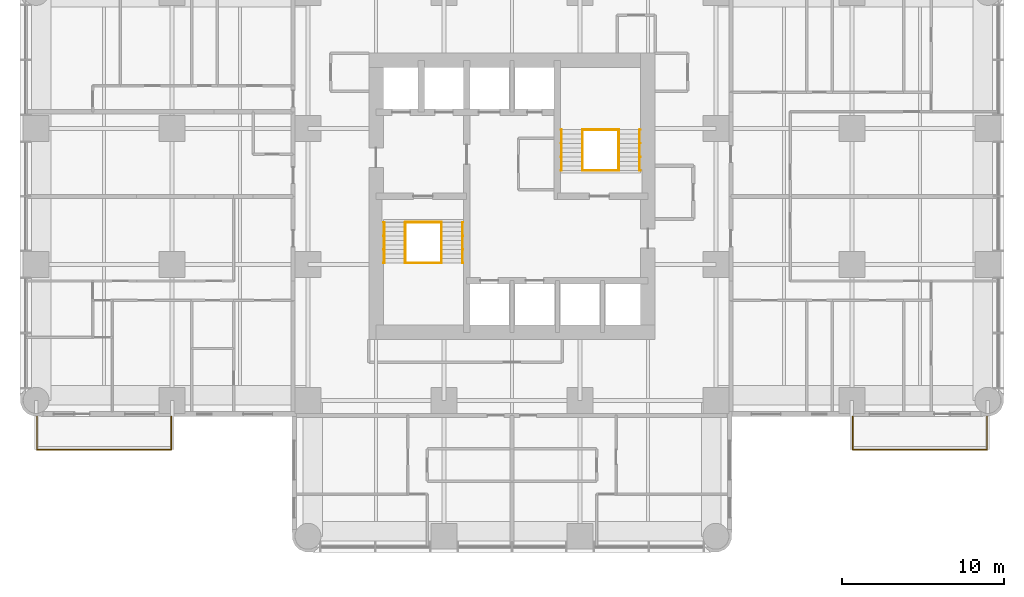
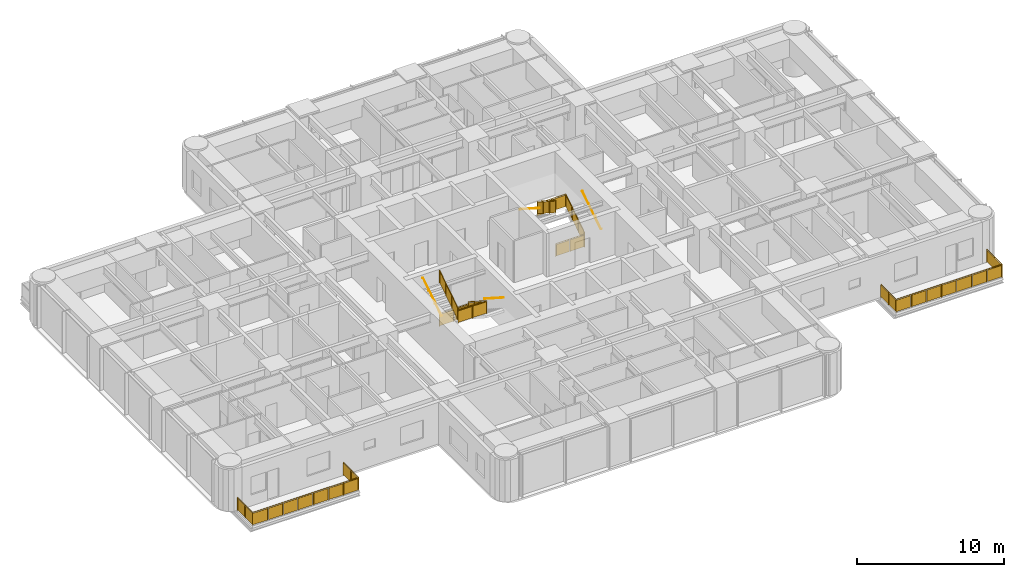
# One storey, part 13 of 14: 14 railings.
"""IFC4 building model written with IfcOpenShell, lengths in metres."""

from ifc_helpers import new_model, si_unit, direction, frame, origin, origin_2d, place, context, subcontext, project, spatial, polyline, circle, outline, extrude, material, constituent, constituent_set, type_object, element, save


model = new_model("IFC4")

# Units and contexts
model_context = context("Model", 3, precision=1e-05, world=origin(), true_north=direction((0.0, 1.0)))
body_context = subcontext(model_context, "Body", "Model", "MODEL_VIEW")
ifc_project = project(units=[si_unit("LENGTHUNIT", "METRE"), si_unit("AREAUNIT", "SQUARE_METRE"), si_unit("VOLUMEUNIT", "CUBIC_METRE"), si_unit("PLANEANGLEUNIT", "RADIAN"), si_unit("MASSUNIT", "GRAM", prefix="KILO")], contexts=[model_context])

# Site, building, storey
site_placement = place(None, origin())
site = spatial("IfcSite", under=ifc_project, at=site_placement, CompositionType="ELEMENT")
building_placement = place(site_placement, origin())
building = spatial("IfcBuilding", under=site, at=building_placement, Name="Torre Alcanfor", CompositionType="ELEMENT")
storey_placement = place(building_placement, frame((0.0, 0.0, 130.5)))
storey = spatial("IfcBuildingStorey", under=building, at=storey_placement, Name="L33", CompositionType="ELEMENT", Elevation=130.5)

# Railings
ifc_material_1 = material(Name="Laminated safety glass", Category="glass")
ifc_constituent_1 = constituent(ifc_material_1, Name="Infill")
ifc_material_2 = material(Name="Stainless steel ASTM A554 Grade MT 316L tube", Category="steel")
ifc_constituent_2 = constituent(ifc_material_2, Name="Posts and rail")
ifc_constituent_set = constituent_set(constituents=[ifc_constituent_1, ifc_constituent_2], Name="Balcony guard glass 1100")
railing_type_1 = type_object("IfcRailingType", Name="Balcony guard glass 1100", PredefinedType="BALUSTRADE", material=ifc_constituent_set)
railing_1_placement = place(storey_placement, frame((50.449951171875, 15.800048828125, 0.0)))
element("IfcRailing", 1, at=railing_1_placement, inside=storey, type_object=railing_type_1, Name="Balcony guard L33-E2", PredefinedType="BALUSTRADE", context=body_context, shape_type="SweptSolid", body=[
    extrude(circle(Radius=0.02392578125, at=origin_2d()), frame((0.0, 0.0, 1.076171875), z_axis=(0.0, -1.0, 0.0), x_axis=(1.0, 0.0, 0.0)), (0.0, 0.0, 1.0), 2.050048828125),
    extrude(circle(Radius=0.02392578125, at=origin_2d()), frame((0.0, -2.050048828125, 1.076171875), z_axis=(1.0, 0.0, 0.0), x_axis=(0.0, 1.0, 0.0)), (0.0, 0.0, 1.0), 8.300048828125),
    extrude(circle(Radius=0.02392578125, at=origin_2d()), frame((8.300048828125, -2.050048828125, 1.076171875), z_axis=(0.0, 1.0, 0.0), x_axis=(-1.0, 0.0, 0.0)), (0.0, 0.0, 1.0), 2.050048828125),
    extrude(circle(Radius=0.02099609375, at=origin_2d()), origin(), (0.0, 0.0, 1.0), 1.052001953125),
    extrude(circle(Radius=0.02099609375, at=origin_2d()), frame((0.0, -1.02490234375, 0.0)), (0.0, 0.0, 1.0), 1.052001953125),
    extrude(circle(Radius=0.02099609375, at=origin_2d()), frame((0.0, -2.050048828125, 0.0)), (0.0, 0.0, 1.0), 1.052001953125),
    extrude(circle(Radius=0.02099609375, at=origin_2d()), frame((1.185791015625, -2.050048828125, 0.0)), (0.0, 0.0, 1.0), 1.052001953125),
    extrude(circle(Radius=0.02099609375, at=origin_2d()), frame((2.371337890625, -2.050048828125, 0.0)), (0.0, 0.0, 1.0), 1.052001953125),
    extrude(circle(Radius=0.02099609375, at=origin_2d()), frame((3.55712890625, -2.050048828125, 0.0)), (0.0, 0.0, 1.0), 1.052001953125),
    extrude(circle(Radius=0.02099609375, at=origin_2d()), frame((4.742919921875, -2.050048828125, 0.0)), (0.0, 0.0, 1.0), 1.052001953125),
    extrude(circle(Radius=0.02099609375, at=origin_2d()), frame((5.9287109375, -2.050048828125, 0.0)), (0.0, 0.0, 1.0), 1.052001953125),
    extrude(circle(Radius=0.02099609375, at=origin_2d()), frame((7.1142578125, -2.050048828125, 0.0)), (0.0, 0.0, 1.0), 1.052001953125),
    extrude(circle(Radius=0.02099609375, at=origin_2d()), frame((8.300048828125, -2.050048828125, 0.0)), (0.0, 0.0, 1.0), 1.052001953125),
    extrude(circle(Radius=0.02099609375, at=origin_2d()), frame((8.300048828125, -1.02490234375, 0.0)), (0.0, 0.0, 1.0), 1.052001953125),
    extrude(circle(Radius=0.02099609375, at=origin_2d()), frame((8.300048828125, 0.0, 0.0)), (0.0, 0.0, 1.0), 1.052001953125),
    extrude(outline(polyline([(0.041015625, 0.050048828125), (0.984130859375, 0.050048828125), (0.984130859375, 1.001953125), (0.041015625, 1.001953125), (0.041015625, 0.050048828125)])), frame((0.005859375, 0.0, 0.0), z_axis=(-1.0, 0.0, 0.0), x_axis=(0.0, -1.0, 0.0)), (0.0, 0.0, 1.0), 0.011962890625),
    extrude(outline(polyline([(1.06591796875, 0.050048828125), (2.009033203125, 0.050048828125), (2.009033203125, 1.001953125), (1.06591796875, 1.001953125), (1.06591796875, 0.050048828125)])), frame((0.005859375, 0.0, 0.0), z_axis=(-1.0, 0.0, 0.0), x_axis=(0.0, -1.0, 0.0)), (0.0, 0.0, 1.0), 0.011962890625),
    extrude(outline(polyline([(0.041015625, 0.050048828125), (1.144775390625, 0.050048828125), (1.144775390625, 1.001953125), (0.041015625, 1.001953125), (0.041015625, 0.050048828125)])), frame((0.0, -2.0439453125, 0.0), z_axis=(0.0, -1.0, 0.0), x_axis=(1.0, 0.0, 0.0)), (0.0, 0.0, 1.0), 0.011962890625),
    extrude(outline(polyline([(1.226806640625, 0.050048828125), (2.330322265625, 0.050048828125), (2.330322265625, 1.001953125), (1.226806640625, 1.001953125), (1.226806640625, 0.050048828125)])), frame((0.0, -2.0439453125, 0.0), z_axis=(0.0, -1.0, 0.0), x_axis=(1.0, 0.0, 0.0)), (0.0, 0.0, 1.0), 0.011962890625),
    extrude(outline(polyline([(2.412353515625, 0.050048828125), (3.51611328125, 0.050048828125), (3.51611328125, 1.001953125), (2.412353515625, 1.001953125), (2.412353515625, 0.050048828125)])), frame((0.0, -2.0439453125, 0.0), z_axis=(0.0, -1.0, 0.0), x_axis=(1.0, 0.0, 0.0)), (0.0, 0.0, 1.0), 0.011962890625),
    extrude(outline(polyline([(3.59814453125, 0.050048828125), (4.701904296875, 0.050048828125), (4.701904296875, 1.001953125), (3.59814453125, 1.001953125), (3.59814453125, 0.050048828125)])), frame((0.0, -2.0439453125, 0.0), z_axis=(0.0, -1.0, 0.0), x_axis=(1.0, 0.0, 0.0)), (0.0, 0.0, 1.0), 0.011962890625),
    extrude(outline(polyline([(4.783935546875, 0.050048828125), (5.8876953125, 0.050048828125), (5.8876953125, 1.001953125), (4.783935546875, 1.001953125), (4.783935546875, 0.050048828125)])), frame((0.0, -2.0439453125, 0.0), z_axis=(0.0, -1.0, 0.0), x_axis=(1.0, 0.0, 0.0)), (0.0, 0.0, 1.0), 0.011962890625),
    extrude(outline(polyline([(5.9697265625, 0.050048828125), (7.0732421875, 0.050048828125), (7.0732421875, 1.001953125), (5.9697265625, 1.001953125), (5.9697265625, 0.050048828125)])), frame((0.0, -2.0439453125, 0.0), z_axis=(0.0, -1.0, 0.0), x_axis=(1.0, 0.0, 0.0)), (0.0, 0.0, 1.0), 0.011962890625),
    extrude(outline(polyline([(7.1552734375, 0.050048828125), (8.259033203125, 0.050048828125), (8.259033203125, 1.001953125), (7.1552734375, 1.001953125), (7.1552734375, 0.050048828125)])), frame((0.0, -2.0439453125, 0.0), z_axis=(0.0, -1.0, 0.0), x_axis=(1.0, 0.0, 0.0)), (0.0, 0.0, 1.0), 0.011962890625),
    extrude(outline(polyline([(0.041015625, 0.050048828125), (0.984130859375, 0.050048828125), (0.984130859375, 1.001953125), (0.041015625, 1.001953125), (0.041015625, 0.050048828125)])), frame((8.2939453125, -2.050048828125, 0.0), z_axis=(1.0, 0.0, 0.0), x_axis=(0.0, 1.0, 0.0)), (0.0, 0.0, 1.0), 0.011962890625),
    extrude(outline(polyline([(1.06591796875, 0.050048828125), (2.009033203125, 0.050048828125), (2.009033203125, 1.001953125), (1.06591796875, 1.001953125), (1.06591796875, 0.050048828125)])), frame((8.2939453125, -2.050048828125, 0.0), z_axis=(1.0, 0.0, 0.0), x_axis=(0.0, 1.0, 0.0)), (0.0, 0.0, 1.0), 0.011962890625),
])
railing_2_placement = place(storey_placement, frame((8.35009765625, 15.800048828125, 0.0)))
element("IfcRailing", 2, at=railing_2_placement, inside=storey, type_object=railing_type_1, Name="Balcony guard L33-W1", PredefinedType="BALUSTRADE", context=body_context, shape_type="SweptSolid", body=[
    extrude(circle(Radius=0.02392578125, at=origin_2d()), frame((0.0, 0.0, 1.076171875), z_axis=(0.0, -1.0, 0.0), x_axis=(1.0, 0.0, 0.0)), (0.0, 0.0, 1.0), 2.050048828125),
    extrude(circle(Radius=0.02392578125, at=origin_2d()), frame((0.0, -2.050048828125, 1.076171875), z_axis=(-1.0, 0.0, 0.0), x_axis=(0.0, -1.0, 0.0)), (0.0, 0.0, 1.0), 8.300048828125),
    extrude(circle(Radius=0.02392578125, at=origin_2d()), frame((-8.300048828125, -2.050048828125, 1.076171875), z_axis=(0.0, 1.0, 0.0), x_axis=(-1.0, 0.0, 0.0)), (0.0, 0.0, 1.0), 2.050048828125),
    extrude(circle(Radius=0.02099609375, at=origin_2d()), origin(), (0.0, 0.0, 1.0), 1.052001953125),
    extrude(circle(Radius=0.02099609375, at=origin_2d()), frame((0.0, -1.02490234375, 0.0)), (0.0, 0.0, 1.0), 1.052001953125),
    extrude(circle(Radius=0.02099609375, at=origin_2d()), frame((0.0, -2.050048828125, 0.0)), (0.0, 0.0, 1.0), 1.052001953125),
    extrude(circle(Radius=0.02099609375, at=origin_2d()), frame((-1.185791015625, -2.050048828125, 0.0)), (0.0, 0.0, 1.0), 1.052001953125),
    extrude(circle(Radius=0.02099609375, at=origin_2d()), frame((-2.371337890625, -2.050048828125, 0.0)), (0.0, 0.0, 1.0), 1.052001953125),
    extrude(circle(Radius=0.02099609375, at=origin_2d()), frame((-3.55712890625, -2.050048828125, 0.0)), (0.0, 0.0, 1.0), 1.052001953125),
    extrude(circle(Radius=0.02099609375, at=origin_2d()), frame((-4.742919921875, -2.050048828125, 0.0)), (0.0, 0.0, 1.0), 1.052001953125),
    extrude(circle(Radius=0.02099609375, at=origin_2d()), frame((-5.9287109375, -2.050048828125, 0.0)), (0.0, 0.0, 1.0), 1.052001953125),
    extrude(circle(Radius=0.02099609375, at=origin_2d()), frame((-7.1142578125, -2.050048828125, 0.0)), (0.0, 0.0, 1.0), 1.052001953125),
    extrude(circle(Radius=0.02099609375, at=origin_2d()), frame((-8.300048828125, -2.050048828125, 0.0)), (0.0, 0.0, 1.0), 1.052001953125),
    extrude(circle(Radius=0.02099609375, at=origin_2d()), frame((-8.300048828125, -1.02490234375, 0.0)), (0.0, 0.0, 1.0), 1.052001953125),
    extrude(circle(Radius=0.02099609375, at=origin_2d()), frame((-8.300048828125, 0.0, 0.0)), (0.0, 0.0, 1.0), 1.052001953125),
    extrude(outline(polyline([(0.041015625, 0.050048828125), (0.984130859375, 0.050048828125), (0.984130859375, 1.001953125), (0.041015625, 1.001953125), (0.041015625, 0.050048828125)])), frame((0.005859375, 0.0, 0.0), z_axis=(-1.0, 0.0, 0.0), x_axis=(0.0, -1.0, 0.0)), (0.0, 0.0, 1.0), 0.011962890625),
    extrude(outline(polyline([(1.06591796875, 0.050048828125), (2.009033203125, 0.050048828125), (2.009033203125, 1.001953125), (1.06591796875, 1.001953125), (1.06591796875, 0.050048828125)])), frame((0.005859375, 0.0, 0.0), z_axis=(-1.0, 0.0, 0.0), x_axis=(0.0, -1.0, 0.0)), (0.0, 0.0, 1.0), 0.011962890625),
    extrude(outline(polyline([(0.041015625, 0.050048828125), (1.144775390625, 0.050048828125), (1.144775390625, 1.001953125), (0.041015625, 1.001953125), (0.041015625, 0.050048828125)])), frame((0.0, -2.05615234375, 0.0), z_axis=(0.0, 1.0, 0.0), x_axis=(-1.0, 0.0, 0.0)), (0.0, 0.0, 1.0), 0.011962890625),
    extrude(outline(polyline([(1.226806640625, 0.050048828125), (2.330322265625, 0.050048828125), (2.330322265625, 1.001953125), (1.226806640625, 1.001953125), (1.226806640625, 0.050048828125)])), frame((0.0, -2.05615234375, 0.0), z_axis=(0.0, 1.0, 0.0), x_axis=(-1.0, 0.0, 0.0)), (0.0, 0.0, 1.0), 0.011962890625),
    extrude(outline(polyline([(2.412353515625, 0.050048828125), (3.51611328125, 0.050048828125), (3.51611328125, 1.001953125), (2.412353515625, 1.001953125), (2.412353515625, 0.050048828125)])), frame((0.0, -2.05615234375, 0.0), z_axis=(0.0, 1.0, 0.0), x_axis=(-1.0, 0.0, 0.0)), (0.0, 0.0, 1.0), 0.011962890625),
    extrude(outline(polyline([(3.59814453125, 0.050048828125), (4.701904296875, 0.050048828125), (4.701904296875, 1.001953125), (3.59814453125, 1.001953125), (3.59814453125, 0.050048828125)])), frame((0.0, -2.05615234375, 0.0), z_axis=(0.0, 1.0, 0.0), x_axis=(-1.0, 0.0, 0.0)), (0.0, 0.0, 1.0), 0.011962890625),
    extrude(outline(polyline([(4.783935546875, 0.050048828125), (5.8876953125, 0.050048828125), (5.8876953125, 1.001953125), (4.783935546875, 1.001953125), (4.783935546875, 0.050048828125)])), frame((0.0, -2.05615234375, 0.0), z_axis=(0.0, 1.0, 0.0), x_axis=(-1.0, 0.0, 0.0)), (0.0, 0.0, 1.0), 0.011962890625),
    extrude(outline(polyline([(5.9697265625, 0.050048828125), (7.0732421875, 0.050048828125), (7.0732421875, 1.001953125), (5.9697265625, 1.001953125), (5.9697265625, 0.050048828125)])), frame((0.0, -2.05615234375, 0.0), z_axis=(0.0, 1.0, 0.0), x_axis=(-1.0, 0.0, 0.0)), (0.0, 0.0, 1.0), 0.011962890625),
    extrude(outline(polyline([(7.1552734375, 0.050048828125), (8.259033203125, 0.050048828125), (8.259033203125, 1.001953125), (7.1552734375, 1.001953125), (7.1552734375, 0.050048828125)])), frame((0.0, -2.05615234375, 0.0), z_axis=(0.0, 1.0, 0.0), x_axis=(-1.0, 0.0, 0.0)), (0.0, 0.0, 1.0), 0.011962890625),
    extrude(outline(polyline([(0.041015625, 0.050048828125), (0.984130859375, 0.050048828125), (0.984130859375, 1.001953125), (0.041015625, 1.001953125), (0.041015625, 0.050048828125)])), frame((-8.30615234375, -2.050048828125, 0.0), z_axis=(1.0, 0.0, 0.0), x_axis=(0.0, 1.0, 0.0)), (0.0, 0.0, 1.0), 0.011962890625),
    extrude(outline(polyline([(1.06591796875, 0.050048828125), (2.009033203125, 0.050048828125), (2.009033203125, 1.001953125), (1.06591796875, 1.001953125), (1.06591796875, 0.050048828125)])), frame((-8.30615234375, -2.050048828125, 0.0), z_axis=(1.0, 0.0, 0.0), x_axis=(0.0, 1.0, 0.0)), (0.0, 0.0, 1.0), 0.011962890625),
])
ifc_material_3 = material(Name="Steel ASTM A500 Grade C hollow sections", Category="steel")
railing_type_2 = type_object("IfcRailingType", Name="Stair guard and handrail 1100", PredefinedType="GUARDRAIL", material=ifc_material_3)
railing_3_placement = place(storey_placement, frame((25.050048828125, 27.800048828125, 0.179931640625)))
element("IfcRailing", 3, at=railing_3_placement, inside=storey, type_object=railing_type_2, Name="Stair guard S1 L33 flight 1", PredefinedType="GUARDRAIL", context=body_context, shape_type="SweptSolid", body=[
    extrude(circle(Radius=0.02392578125, at=origin_2d()), frame((0.0, 0.0, 1.076171875), z_axis=(0.0, -0.841162588446, 0.540782303519), x_axis=(1.0, 0.0, 0.0)), (0.0, 0.0, 1.0), 2.995849609375),
    extrude(circle(Radius=0.02099609375, at=origin_2d()), origin(), (0.0, 0.0, 1.0), 1.052001953125),
    extrude(circle(Radius=0.02099609375, at=origin_2d()), frame((0.0, -0.840087890625, 0.5400390625)), (0.0, 0.0, 1.0), 1.052001953125),
    extrude(circle(Radius=0.02099609375, at=origin_2d()), frame((0.0, -1.679931640625, 1.080078125)), (0.0, 0.0, 1.0), 1.052001953125),
    extrude(circle(Radius=0.02099609375, at=origin_2d()), frame((0.0, -2.52001953125, 1.6201171875)), (0.0, 0.0, 1.0), 1.052001953125),
    extrude(outline(polyline([(0.041015625, 0.076416015625), (0.799072265625, 0.563720703125), (0.799072265625, 1.515625), (0.041015625, 1.0283203125), (0.041015625, 0.076416015625)])), frame((0.005859375, 0.0, 0.0), z_axis=(-1.0, 0.0, 0.0), x_axis=(0.0, -1.0, 0.0)), (0.0, 0.0, 1.0), 0.011962890625),
    extrude(outline(polyline([(0.881103515625, 0.616455078125), (1.638916015625, 1.103759765625), (1.638916015625, 2.0556640625), (0.881103515625, 1.568359375), (0.881103515625, 0.616455078125)])), frame((0.005859375, 0.0, 0.0), z_axis=(-1.0, 0.0, 0.0), x_axis=(0.0, -1.0, 0.0)), (0.0, 0.0, 1.0), 0.011962890625),
    extrude(outline(polyline([(1.720947265625, 1.156494140625), (2.47900390625, 1.643798828125), (2.47900390625, 2.595703125), (1.720947265625, 2.1083984375), (1.720947265625, 1.156494140625)])), frame((0.005859375, 0.0, 0.0), z_axis=(-1.0, 0.0, 0.0), x_axis=(0.0, -1.0, 0.0)), (0.0, 0.0, 1.0), 0.011962890625),
])
railing_4_placement = place(storey_placement, frame((22.800048828125, 25.280029296875, 1.97998046875)))
element("IfcRailing", 4, at=railing_4_placement, inside=storey, type_object=railing_type_2, Name="Stair guard S1 L33 flight 2", PredefinedType="GUARDRAIL", context=body_context, shape_type="SweptSolid", body=[
    extrude(circle(Radius=0.02392578125, at=origin_2d()), frame((0.0, 0.0, 1.076171875), z_axis=(0.0, 0.841162588446, 0.540782303519), x_axis=(-1.0, 0.0, 0.0)), (0.0, 0.0, 1.0), 2.995849609375),
    extrude(circle(Radius=0.02099609375, at=origin_2d()), origin(), (0.0, 0.0, 1.0), 1.052001953125),
    extrude(circle(Radius=0.02099609375, at=origin_2d()), frame((0.0, 0.840087890625, 0.5400390625)), (0.0, 0.0, 1.0), 1.052001953125),
    extrude(circle(Radius=0.02099609375, at=origin_2d()), frame((0.0, 1.679931640625, 1.080078125)), (0.0, 0.0, 1.0), 1.052001953125),
    extrude(circle(Radius=0.02099609375, at=origin_2d()), frame((0.0, 2.52001953125, 1.6201171875)), (0.0, 0.0, 1.0), 1.052001953125),
    extrude(outline(polyline([(0.041015625, 0.076416015625), (0.799072265625, 0.563720703125), (0.799072265625, 1.515625), (0.041015625, 1.0283203125), (0.041015625, 0.076416015625)])), frame((-0.005859375, 0.0, 0.0), z_axis=(1.0, 0.0, 0.0), x_axis=(0.0, 1.0, 0.0)), (0.0, 0.0, 1.0), 0.011962890625),
    extrude(outline(polyline([(0.881103515625, 0.616455078125), (1.638916015625, 1.103759765625), (1.638916015625, 2.0556640625), (0.881103515625, 1.568359375), (0.881103515625, 0.616455078125)])), frame((-0.005859375, 0.0, 0.0), z_axis=(1.0, 0.0, 0.0), x_axis=(0.0, 1.0, 0.0)), (0.0, 0.0, 1.0), 0.011962890625),
    extrude(outline(polyline([(1.720947265625, 1.156494140625), (2.47900390625, 1.643798828125), (2.47900390625, 2.595703125), (1.720947265625, 2.1083984375), (1.720947265625, 1.156494140625)])), frame((-0.005859375, 0.0, 0.0), z_axis=(1.0, 0.0, 0.0), x_axis=(0.0, 1.0, 0.0)), (0.0, 0.0, 1.0), 0.011962890625),
])
for number, where, name in (
    (5, (22.800048828125, 27.800048828125, 0.0), "Stair well guard S1 L33 floor landing"),
    (6, (22.800048828125, 25.280029296875, 1.800048828125), "Stair well guard S1 L33 half landing"),
):
    element("IfcRailing", number, at=place(storey_placement, frame(where)), inside=storey, type_object=railing_type_2, Name=name, PredefinedType="GUARDRAIL", context=body_context, shape_type="SweptSolid", body=[
        extrude(circle(Radius=0.02392578125, at=origin_2d()), frame((0.0, 0.0, 1.076171875), z_axis=(1.0, 0.0, 0.0), x_axis=(0.0, 1.0, 0.0)), (0.0, 0.0, 1.0), 2.25),
        extrude(circle(Radius=0.02099609375, at=origin_2d()), origin(), (0.0, 0.0, 1.0), 1.052001953125),
        extrude(circle(Radius=0.02099609375, at=origin_2d()), frame((1.125, 0.0, 0.0)), (0.0, 0.0, 1.0), 1.052001953125),
        extrude(circle(Radius=0.02099609375, at=origin_2d()), frame((2.25, 0.0, 0.0)), (0.0, 0.0, 1.0), 1.052001953125),
        extrude(outline(polyline([(0.041015625, 0.050048828125), (1.083984375, 0.050048828125), (1.083984375, 1.001953125), (0.041015625, 1.001953125), (0.041015625, 0.050048828125)])), frame((0.0, 0.005859375, 0.0), z_axis=(0.0, -1.0, 0.0), x_axis=(1.0, 0.0, 0.0)), (0.0, 0.0, 1.0), 0.011962890625),
        extrude(outline(polyline([(1.166015625, 0.050048828125), (2.208984375, 0.050048828125), (2.208984375, 1.001953125), (1.166015625, 1.001953125), (1.166015625, 0.050048828125)])), frame((0.0, 0.005859375, 0.0), z_axis=(0.0, -1.0, 0.0), x_axis=(1.0, 0.0, 0.0)), (0.0, 0.0, 1.0), 0.011962890625),
    ])
railing_5_placement = place(storey_placement, frame((36.0, 31.0, 0.179931640625)))
element("IfcRailing", 7, at=railing_5_placement, inside=storey, type_object=railing_type_2, Name="Stair guard S2 L33 flight 1", PredefinedType="GUARDRAIL", context=body_context, shape_type="SweptSolid", body=[
    extrude(circle(Radius=0.02392578125, at=origin_2d()), frame((0.0, 0.0, 1.076171875), z_axis=(0.0, 0.841162588446, 0.540782303519), x_axis=(-1.0, 0.0, 0.0)), (0.0, 0.0, 1.0), 2.995849609375),
    extrude(circle(Radius=0.02099609375, at=origin_2d()), origin(), (0.0, 0.0, 1.0), 1.052001953125),
    extrude(circle(Radius=0.02099609375, at=origin_2d()), frame((0.0, 0.840087890625, 0.5400390625)), (0.0, 0.0, 1.0), 1.052001953125),
    extrude(circle(Radius=0.02099609375, at=origin_2d()), frame((0.0, 1.679931640625, 1.080078125)), (0.0, 0.0, 1.0), 1.052001953125),
    extrude(circle(Radius=0.02099609375, at=origin_2d()), frame((0.0, 2.52001953125, 1.6201171875)), (0.0, 0.0, 1.0), 1.052001953125),
    extrude(outline(polyline([(0.041015625, 0.076416015625), (0.799072265625, 0.563720703125), (0.799072265625, 1.515625), (0.041015625, 1.0283203125), (0.041015625, 0.076416015625)])), frame((-0.005859375, 0.0, 0.0), z_axis=(1.0, 0.0, 0.0), x_axis=(0.0, 1.0, 0.0)), (0.0, 0.0, 1.0), 0.011962890625),
    extrude(outline(polyline([(0.881103515625, 0.616455078125), (1.638916015625, 1.103759765625), (1.638916015625, 2.0556640625), (0.881103515625, 1.568359375), (0.881103515625, 0.616455078125)])), frame((-0.005859375, 0.0, 0.0), z_axis=(1.0, 0.0, 0.0), x_axis=(0.0, 1.0, 0.0)), (0.0, 0.0, 1.0), 0.011962890625),
    extrude(outline(polyline([(1.720947265625, 1.156494140625), (2.47900390625, 1.643798828125), (2.47900390625, 2.595703125), (1.720947265625, 2.1083984375), (1.720947265625, 1.156494140625)])), frame((-0.005859375, 0.0, 0.0), z_axis=(1.0, 0.0, 0.0), x_axis=(0.0, 1.0, 0.0)), (0.0, 0.0, 1.0), 0.011962890625),
])
railing_6_placement = place(storey_placement, frame((33.75, 33.52001953125, 1.97998046875)))
element("IfcRailing", 8, at=railing_6_placement, inside=storey, type_object=railing_type_2, Name="Stair guard S2 L33 flight 2", PredefinedType="GUARDRAIL", context=body_context, shape_type="SweptSolid", body=[
    extrude(circle(Radius=0.02392578125, at=origin_2d()), frame((0.0, 0.0, 1.076171875), z_axis=(0.0, -0.841162588446, 0.540782303519), x_axis=(1.0, 0.0, 0.0)), (0.0, 0.0, 1.0), 2.995849609375),
    extrude(circle(Radius=0.02099609375, at=origin_2d()), origin(), (0.0, 0.0, 1.0), 1.052001953125),
    extrude(circle(Radius=0.02099609375, at=origin_2d()), frame((0.0, -0.840087890625, 0.5400390625)), (0.0, 0.0, 1.0), 1.052001953125),
    extrude(circle(Radius=0.02099609375, at=origin_2d()), frame((0.0, -1.679931640625, 1.080078125)), (0.0, 0.0, 1.0), 1.052001953125),
    extrude(circle(Radius=0.02099609375, at=origin_2d()), frame((0.0, -2.52001953125, 1.6201171875)), (0.0, 0.0, 1.0), 1.052001953125),
    extrude(outline(polyline([(0.041015625, 0.076416015625), (0.799072265625, 0.563720703125), (0.799072265625, 1.515625), (0.041015625, 1.0283203125), (0.041015625, 0.076416015625)])), frame((0.005859375, 0.0, 0.0), z_axis=(-1.0, 0.0, 0.0), x_axis=(0.0, -1.0, 0.0)), (0.0, 0.0, 1.0), 0.011962890625),
    extrude(outline(polyline([(0.881103515625, 0.616455078125), (1.638916015625, 1.103759765625), (1.638916015625, 2.0556640625), (0.881103515625, 1.568359375), (0.881103515625, 0.616455078125)])), frame((0.005859375, 0.0, 0.0), z_axis=(-1.0, 0.0, 0.0), x_axis=(0.0, -1.0, 0.0)), (0.0, 0.0, 1.0), 0.011962890625),
    extrude(outline(polyline([(1.720947265625, 1.156494140625), (2.47900390625, 1.643798828125), (2.47900390625, 2.595703125), (1.720947265625, 2.1083984375), (1.720947265625, 1.156494140625)])), frame((0.005859375, 0.0, 0.0), z_axis=(-1.0, 0.0, 0.0), x_axis=(0.0, -1.0, 0.0)), (0.0, 0.0, 1.0), 0.011962890625),
])
for number, where, name in (
    (9, (33.75, 31.0, 0.0), "Stair well guard S2 L33 floor landing"),
    (10, (33.75, 33.52001953125, 1.800048828125), "Stair well guard S2 L33 half landing"),
):
    element("IfcRailing", number, at=place(storey_placement, frame(where)), inside=storey, type_object=railing_type_2, Name=name, PredefinedType="GUARDRAIL", context=body_context, shape_type="SweptSolid", body=[
        extrude(circle(Radius=0.02392578125, at=origin_2d()), frame((0.0, 0.0, 1.076171875), z_axis=(1.0, 0.0, 0.0), x_axis=(0.0, 1.0, 0.0)), (0.0, 0.0, 1.0), 2.25),
        extrude(circle(Radius=0.02099609375, at=origin_2d()), origin(), (0.0, 0.0, 1.0), 1.052001953125),
        extrude(circle(Radius=0.02099609375, at=origin_2d()), frame((1.125, 0.0, 0.0)), (0.0, 0.0, 1.0), 1.052001953125),
        extrude(circle(Radius=0.02099609375, at=origin_2d()), frame((2.25, 0.0, 0.0)), (0.0, 0.0, 1.0), 1.052001953125),
        extrude(outline(polyline([(0.041015625, 0.050048828125), (1.083984375, 0.050048828125), (1.083984375, 1.001953125), (0.041015625, 1.001953125), (0.041015625, 0.050048828125)])), frame((0.0, 0.005859375, 0.0), z_axis=(0.0, -1.0, 0.0), x_axis=(1.0, 0.0, 0.0)), (0.0, 0.0, 1.0), 0.011962890625),
        extrude(outline(polyline([(1.166015625, 0.050048828125), (2.208984375, 0.050048828125), (2.208984375, 1.001953125), (1.166015625, 1.001953125), (1.166015625, 0.050048828125)])), frame((0.0, 0.005859375, 0.0), z_axis=(0.0, -1.0, 0.0), x_axis=(1.0, 0.0, 0.0)), (0.0, 0.0, 1.0), 0.011962890625),
    ])
ifc_material_4 = material(Name="Steel ASTM A500 Grade C hollow sections", Category="steel")
railing_type_3 = type_object("IfcRailingType", Name="Stair wall handrail 900", PredefinedType="HANDRAIL", material=ifc_material_4)
railing_7_placement = place(storey_placement, frame((26.3349609375, 27.800048828125, 0.179931640625)))
element("IfcRailing", 11, at=railing_7_placement, inside=storey, type_object=railing_type_3, Name="Stair handrail S1 L33 flight 1", PredefinedType="HANDRAIL", context=body_context, shape_type="SweptSolid", body=[
    extrude(circle(Radius=0.02392578125, at=origin_2d()), frame((0.0, 0.0, 0.8759765625), z_axis=(0.0, -0.841162588446, 0.540782303519), x_axis=(1.0, 0.0, 0.0)), (0.0, 0.0, 1.0), 2.995849609375),
    extrude(circle(Radius=0.008056640625, at=origin_2d()), frame((0.0, 0.0, 0.8759765625), z_axis=(1.0, 0.0, 0.0), x_axis=(0.0, 0.0, 1.0)), (0.0, 0.0, 1.0), 0.06494140625),
    extrude(circle(Radius=0.008056640625, at=origin_2d()), frame((0.0, -0.840087890625, 1.416015625), z_axis=(1.0, 0.0, 0.0), x_axis=(0.0, 0.0, 1.0)), (0.0, 0.0, 1.0), 0.06494140625),
    extrude(circle(Radius=0.008056640625, at=origin_2d()), frame((0.0, -1.679931640625, 1.9560546875), z_axis=(1.0, 0.0, 0.0), x_axis=(0.0, 0.0, 1.0)), (0.0, 0.0, 1.0), 0.06494140625),
    extrude(circle(Radius=0.008056640625, at=origin_2d()), frame((0.0, -2.52001953125, 2.49609375), z_axis=(1.0, 0.0, 0.0), x_axis=(0.0, 0.0, 1.0)), (0.0, 0.0, 1.0), 0.06494140625),
])
railing_8_placement = place(storey_placement, frame((21.514892578125, 25.280029296875, 1.97998046875)))
element("IfcRailing", 12, at=railing_8_placement, inside=storey, type_object=railing_type_3, Name="Stair handrail S1 L33 flight 2", PredefinedType="HANDRAIL", context=body_context, shape_type="SweptSolid", body=[
    extrude(circle(Radius=0.02392578125, at=origin_2d()), frame((0.0, 0.0, 0.8759765625), z_axis=(0.0, 0.841162588446, 0.540782303519), x_axis=(-1.0, 0.0, 0.0)), (0.0, 0.0, 1.0), 2.995849609375),
    extrude(circle(Radius=0.008056640625, at=origin_2d()), frame((0.0, 0.0, 0.8759765625), z_axis=(-1.0, 0.0, 0.0), x_axis=(0.0, 0.0, 1.0)), (0.0, 0.0, 1.0), 0.06494140625),
    extrude(circle(Radius=0.008056640625, at=origin_2d()), frame((0.0, 0.840087890625, 1.416015625), z_axis=(-1.0, 0.0, 0.0), x_axis=(0.0, 0.0, 1.0)), (0.0, 0.0, 1.0), 0.06494140625),
    extrude(circle(Radius=0.008056640625, at=origin_2d()), frame((0.0, 1.679931640625, 1.9560546875), z_axis=(-1.0, 0.0, 0.0), x_axis=(0.0, 0.0, 1.0)), (0.0, 0.0, 1.0), 0.06494140625),
    extrude(circle(Radius=0.008056640625, at=origin_2d()), frame((0.0, 2.52001953125, 2.49609375), z_axis=(-1.0, 0.0, 0.0), x_axis=(0.0, 0.0, 1.0)), (0.0, 0.0, 1.0), 0.06494140625),
])
railing_9_placement = place(storey_placement, frame((37.284912109375, 31.0, 0.179931640625)))
element("IfcRailing", 13, at=railing_9_placement, inside=storey, type_object=railing_type_3, Name="Stair handrail S2 L33 flight 1", PredefinedType="HANDRAIL", context=body_context, shape_type="SweptSolid", body=[
    extrude(circle(Radius=0.02392578125, at=origin_2d()), frame((0.0, 0.0, 0.8759765625), z_axis=(0.0, 0.841162588446, 0.540782303519), x_axis=(-1.0, 0.0, 0.0)), (0.0, 0.0, 1.0), 2.995849609375),
    extrude(circle(Radius=0.008056640625, at=origin_2d()), frame((0.0, 0.0, 0.8759765625), z_axis=(1.0, 0.0, 0.0), x_axis=(0.0, 0.0, 1.0)), (0.0, 0.0, 1.0), 0.06494140625),
    extrude(circle(Radius=0.008056640625, at=origin_2d()), frame((0.0, 0.840087890625, 1.416015625), z_axis=(1.0, 0.0, 0.0), x_axis=(0.0, 0.0, 1.0)), (0.0, 0.0, 1.0), 0.06494140625),
    extrude(circle(Radius=0.008056640625, at=origin_2d()), frame((0.0, 1.679931640625, 1.9560546875), z_axis=(1.0, 0.0, 0.0), x_axis=(0.0, 0.0, 1.0)), (0.0, 0.0, 1.0), 0.06494140625),
    extrude(circle(Radius=0.008056640625, at=origin_2d()), frame((0.0, 2.52001953125, 2.49609375), z_axis=(1.0, 0.0, 0.0), x_axis=(0.0, 0.0, 1.0)), (0.0, 0.0, 1.0), 0.06494140625),
])
railing_10_placement = place(storey_placement, frame((32.465087890625, 33.52001953125, 1.97998046875)))
element("IfcRailing", 14, at=railing_10_placement, inside=storey, type_object=railing_type_3, Name="Stair handrail S2 L33 flight 2", PredefinedType="HANDRAIL", context=body_context, shape_type="SweptSolid", body=[
    extrude(circle(Radius=0.02392578125, at=origin_2d()), frame((0.0, 0.0, 0.8759765625), z_axis=(0.0, -0.841162588446, 0.540782303519), x_axis=(1.0, 0.0, 0.0)), (0.0, 0.0, 1.0), 2.995849609375),
    extrude(circle(Radius=0.008056640625, at=origin_2d()), frame((0.0, 0.0, 0.8759765625), z_axis=(-1.0, 0.0, 0.0), x_axis=(0.0, 0.0, 1.0)), (0.0, 0.0, 1.0), 0.06494140625),
    extrude(circle(Radius=0.008056640625, at=origin_2d()), frame((0.0, -0.840087890625, 1.416015625), z_axis=(-1.0, 0.0, 0.0), x_axis=(0.0, 0.0, 1.0)), (0.0, 0.0, 1.0), 0.06494140625),
    extrude(circle(Radius=0.008056640625, at=origin_2d()), frame((0.0, -1.679931640625, 1.9560546875), z_axis=(-1.0, 0.0, 0.0), x_axis=(0.0, 0.0, 1.0)), (0.0, 0.0, 1.0), 0.06494140625),
    extrude(circle(Radius=0.008056640625, at=origin_2d()), frame((0.0, -2.52001953125, 2.49609375), z_axis=(-1.0, 0.0, 0.0), x_axis=(0.0, 0.0, 1.0)), (0.0, 0.0, 1.0), 0.06494140625),
])

save(model, "model.ifc")
